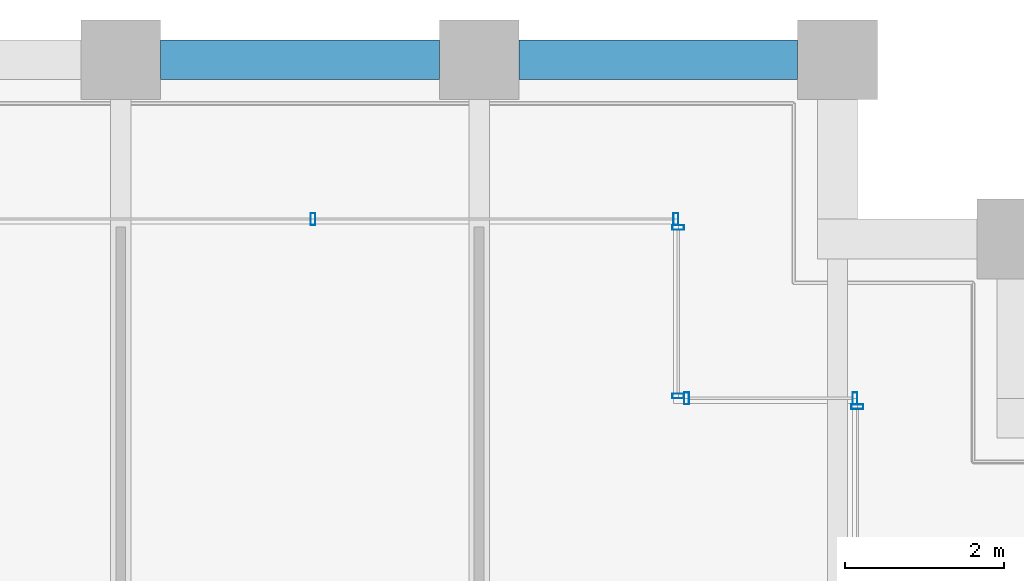
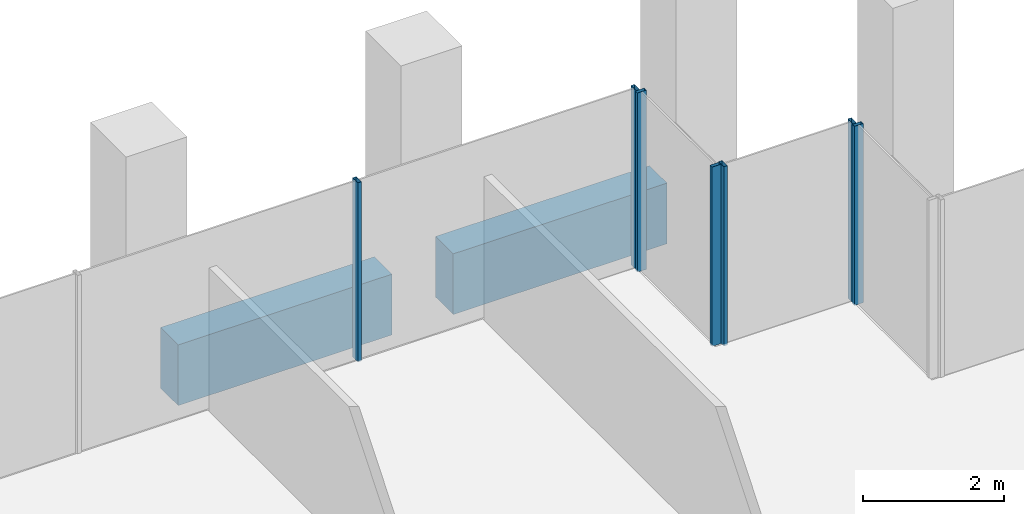
# One storey, part 26 of 45: 7 members, 2 beams, 4 elements without a shape of their own.
"""IFC4 building model written with IfcOpenShell, lengths in metres."""

from ifc_helpers import new_model, si_unit, direction, frame, origin, origin_2d, place, context, subcontext, project, spatial, rectangle, hollow_rectangle, extrude, material, material_profile, profile_set, type_object, element, aggregate, save


model = new_model("IFC4")

# Units and contexts
model_context = context("Model", 3, precision=1e-05, world=origin(), true_north=direction((0.0, 1.0)))
body_context = subcontext(model_context, "Body", "Model", "MODEL_VIEW")
ifc_project = project(units=[si_unit("LENGTHUNIT", "METRE"), si_unit("AREAUNIT", "SQUARE_METRE"), si_unit("VOLUMEUNIT", "CUBIC_METRE"), si_unit("PLANEANGLEUNIT", "RADIAN"), si_unit("MASSUNIT", "GRAM", prefix="KILO")], contexts=[model_context])

# Site, building, storey
site_placement = place(None, origin())
site = spatial("IfcSite", under=ifc_project, at=site_placement, CompositionType="ELEMENT")
building_placement = place(site_placement, origin())
building = spatial("IfcBuilding", under=site, at=building_placement, Name="Altepetl Exchange Towers", CompositionType="ELEMENT")
storey_placement = place(building_placement, frame((0.0, 0.0, 110.0)))
storey = spatial("IfcBuildingStorey", under=building, at=storey_placement, Name="L27", CompositionType="ELEMENT", Elevation=110.0)

# Curtain wall, member
ifc_material_1 = material(Name="Aluminium 6063-T6 glazing", Category="aluminium")
curtain_wall_type = type_object("IfcCurtainWallType", Name="Loggia glazing system", PredefinedType="NOTDEFINED", material=ifc_material_1)
curtain_wall_1_placement = place(storey_placement, origin())
curtain_wall_1 = element("IfcCurtainWall", 1, at=curtain_wall_1_placement, inside=storey, type_object=curtain_wall_type, Name="CW1 run", PredefinedType="NOTDEFINED")
ifc_material_2 = material(Name="Aluminium 6063-T6", Category="aluminium")
ifc_material_profile_1 = material_profile(ifc_material_2, hollow_rectangle(XDim=0.06005859375, YDim=0.14990234375, WallThickness=0.0029296875, at=origin_2d()), Name="Mullion 60x150 aluminium")
ifc_profile_set_1 = profile_set([ifc_material_profile_1], Name="Aluminium 6063-T6")
member_type = type_object("IfcMemberType", Name="Mullion 60x150 aluminium", PredefinedType="MULLION", material=ifc_profile_set_1)
member_1_placement = place(storey_placement, frame((67.75, 67.64501953125, 0.0), z_axis=(0.0, 0.0, 1.0), x_axis=(0.0, 1.0, 0.0)))
member_1 = element("IfcMember", 2, at=member_1_placement, type_object=member_type, Name="MU1 mullion", PredefinedType="MULLION", context=body_context, shape_type="SweptSolid", body=[
    extrude(hollow_rectangle(XDim=0.06005859375, YDim=0.14990234375, WallThickness=0.0029296875, at=origin_2d()), origin(), (0.0, 0.0, 1.0), 3.10009765625),
])
aggregate(curtain_wall_1, [member_1])

# Curtain wall, members
curtain_wall_2_placement = place(storey_placement, origin())
curtain_wall_2 = element("IfcCurtainWall", 3, at=curtain_wall_2_placement, inside=storey, type_object=curtain_wall_type, Name="CW1 run", PredefinedType="NOTDEFINED")
member_2_placement = place(storey_placement, frame((67.719970703125, 67.75, 0.0), z_axis=(0.0, 0.0, 1.0), x_axis=(-1.0, 0.0, 0.0)))
member_2 = element("IfcMember", 4, at=member_2_placement, type_object=member_type, Name="MU1 mullion", PredefinedType="MULLION", context=body_context, shape_type="SweptSolid", body=[
    extrude(hollow_rectangle(XDim=0.06005859375, YDim=0.14990234375, WallThickness=0.0029296875, at=origin_2d()), origin(), (0.0, 0.0, 1.0), 3.10009765625),
])
member_3_placement = place(storey_placement, frame((65.60498046875, 67.75, 0.0), z_axis=(0.0, 0.0, 1.0), x_axis=(-1.0, 0.0, 0.0)))
member_3 = element("IfcMember", 5, at=member_3_placement, type_object=member_type, Name="MU1 mullion", PredefinedType="MULLION", context=body_context, shape_type="SweptSolid", body=[
    extrude(hollow_rectangle(XDim=0.06005859375, YDim=0.14990234375, WallThickness=0.0029296875, at=origin_2d()), origin(), (0.0, 0.0, 1.0), 3.10009765625),
])
aggregate(curtain_wall_2, [member_2, member_3])

curtain_wall_3_placement = place(storey_placement, origin())
curtain_wall_3 = element("IfcCurtainWall", 6, at=curtain_wall_3_placement, inside=storey, type_object=curtain_wall_type, Name="CW1 run", PredefinedType="NOTDEFINED")
member_4_placement = place(storey_placement, frame((65.5, 67.780029296875, 0.0), z_axis=(0.0, 0.0, 1.0), x_axis=(0.0, 1.0, 0.0)))
member_4 = element("IfcMember", 7, at=member_4_placement, type_object=member_type, Name="MU1 mullion", PredefinedType="MULLION", context=body_context, shape_type="SweptSolid", body=[
    extrude(hollow_rectangle(XDim=0.06005859375, YDim=0.14990234375, WallThickness=0.0029296875, at=origin_2d()), origin(), (0.0, 0.0, 1.0), 3.10009765625),
])
member_5_placement = place(storey_placement, frame((65.5, 69.89501953125, 0.0), z_axis=(0.0, 0.0, 1.0), x_axis=(0.0, 1.0, 0.0)))
member_5 = element("IfcMember", 8, at=member_5_placement, type_object=member_type, Name="MU1 mullion", PredefinedType="MULLION", context=body_context, shape_type="SweptSolid", body=[
    extrude(hollow_rectangle(XDim=0.06005859375, YDim=0.14990234375, WallThickness=0.0029296875, at=origin_2d()), origin(), (0.0, 0.0, 1.0), 3.10009765625),
])
aggregate(curtain_wall_3, [member_4, member_5])

curtain_wall_4_placement = place(storey_placement, origin())
curtain_wall_4 = element("IfcCurtainWall", 9, at=curtain_wall_4_placement, inside=storey, type_object=curtain_wall_type, Name="CW1 run", PredefinedType="NOTDEFINED")
member_6_placement = place(storey_placement, frame((65.469970703125, 70.0, 0.0), z_axis=(0.0, 0.0, 1.0), x_axis=(-1.0, 0.0, 0.0)))
member_6 = element("IfcMember", 10, at=member_6_placement, type_object=member_type, Name="MU1 mullion", PredefinedType="MULLION", context=body_context, shape_type="SweptSolid", body=[
    extrude(hollow_rectangle(XDim=0.06005859375, YDim=0.14990234375, WallThickness=0.0029296875, at=origin_2d()), origin(), (0.0, 0.0, 1.0), 3.10009765625),
])
member_7_placement = place(storey_placement, frame((60.9150390625, 70.0, 0.0), z_axis=(0.0, 0.0, 1.0), x_axis=(-1.0, 0.0, 0.0)))
member_7 = element("IfcMember", 11, at=member_7_placement, type_object=member_type, Name="MU1 mullion", PredefinedType="MULLION", context=body_context, shape_type="SweptSolid", body=[
    extrude(hollow_rectangle(XDim=0.06005859375, YDim=0.14990234375, WallThickness=0.0029296875, at=origin_2d()), origin(), (0.0, 0.0, 1.0), 3.10009765625),
])
aggregate(curtain_wall_4, [member_6, member_7])

# Beams
ifc_material_3 = material(Name="Concrete C50/60 precast with cantera rosa facing", Category="concrete")
ifc_material_profile_2 = material_profile(ifc_material_3, rectangle(XDim=0.5, YDim=1.050048828125, at=origin_2d()), Name="500 x 1050")
ifc_profile_set_2 = profile_set([ifc_material_profile_2], Name="Concrete C50/60 precast with cantera rosa facing")
beam_type = type_object("IfcBeamType", Name="Spandrel beam 500x1050 cantera rosa", PredefinedType="SPANDREL", material=ifc_profile_set_2)
for number, where, z_axis, x_axis, name in (
    (12, (67.0, 72.0, -0.675048828125), (-1.0, 0.0, 0.0), (0.0, -1.0, 0.0), "sp:A:L27:024"),
    (13, (62.5, 72.0, -0.675048828125), (-1.0, 0.0, 0.0), (0.0, -1.0, 0.0), "sp:A:L27:025"),
):
    element("IfcBeam", number, at=place(storey_placement, frame(where, z_axis=z_axis, x_axis=x_axis)), inside=storey, type_object=beam_type, Name=name, PredefinedType="SPANDREL", context=body_context, shape_type="SweptSolid", body=[
        extrude(rectangle(XDim=0.5, YDim=1.050048828125, at=origin_2d()), origin(), (0.0, 0.0, 1.0), 3.5),
    ])

save(model, "model.ifc")
